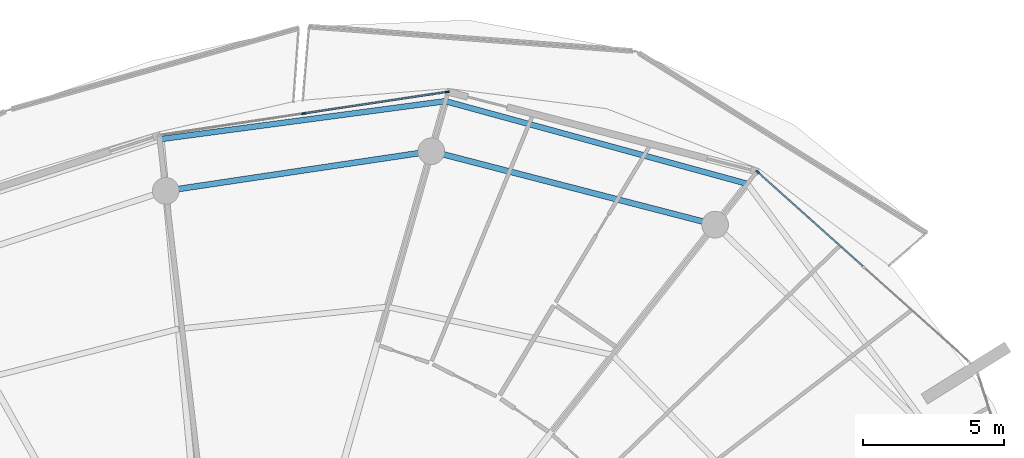
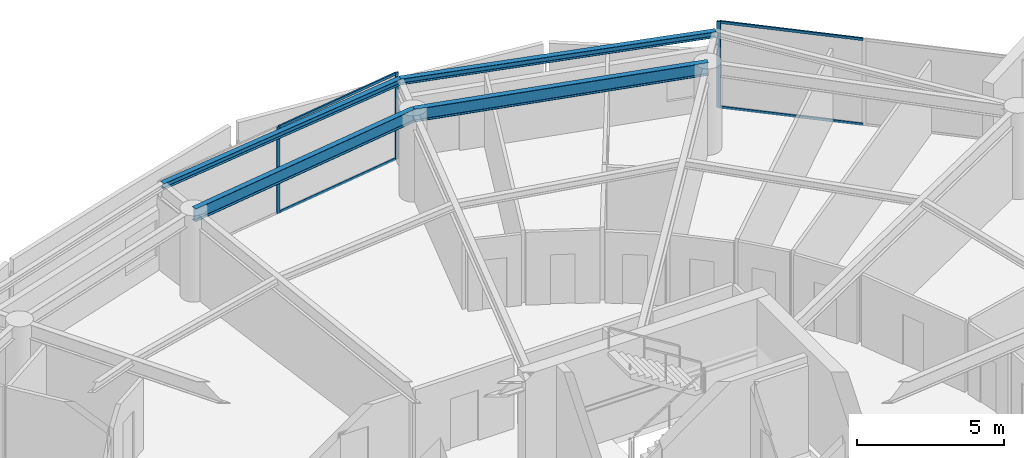
# One storey, part 15 of 29: 7 members, 4 beams, 2 elements without a shape of their own.
"""IFC4 building model written with IfcOpenShell, lengths in metres."""

import ifcopenshell
import ifcopenshell.guid

model = None  # the IFC model being written
_history = None  # IfcOwnerHistory: only IFC2X3 demands one
_inside = {}  # id of a spatial element -> (the spatial element, [elements in it])
_under = {}  # id of a project, library or spatial element -> (it, [spatial elements below it])
_declared = {}  # id of a project -> (the project, [libraries it declares])
_typed = {}  # id of a type object -> (the type object, [elements of that type])
_made_of = {}  # id of a material, layer set ... -> (it, [elements and type objects made of it])


def new_model(schema):
    """Start an empty IFC model of exactly this schema.

    Asked for "IFC4X3", IfcOpenShell would pick the latest addendum, in which some entities
    have other attributes; the version numbers below select the first issue.
    IFC2X3 requires an IfcOwnerHistory on every rooted entity: one is made here for all.
    """
    global model, _history
    if schema == "IFC4X3":
        model = ifcopenshell.file(schema_version=(4, 3, 0, 0))
    else:
        model = ifcopenshell.file(schema=schema)
    _inside.clear()
    _under.clear()
    _declared.clear()
    _typed.clear()
    _made_of.clear()
    _history = None
    if model.schema == "IFC2X3":
        org = make("IfcOrganization", Name="unknown")
        user = make(
            "IfcPersonAndOrganization",
            ThePerson=make("IfcPerson", FamilyName="unknown"),
            TheOrganization=org,
        )
        app = make(
            "IfcApplication",
            ApplicationDeveloper=org,
            Version="unknown",
            ApplicationFullName="unknown",
            ApplicationIdentifier="unknown",
        )
        _history = make(
            "IfcOwnerHistory",
            OwningUser=user,
            OwningApplication=app,
            ChangeAction="ADDED",
            CreationDate=0,
        )
    return model


def make(cls, **values):
    """One entity of the class cls with the attributes given. An attribute that is None is left unset."""
    return model.create_entity(
        cls, **{name: value for name, value in values.items() if value is not None}
    )


def rooted(cls, **values):
    """An entity with a GlobalId (a new one), such as an element, a storey or a relation."""
    return make(cls, GlobalId=ifcopenshell.guid.new(), OwnerHistory=_history, **values)


def si_unit(unit_type, name, prefix=None):
    """IfcSIUnit, for example si_unit("LENGTHUNIT", "METRE", prefix="MILLI")."""
    return make("IfcSIUnit", UnitType=unit_type, Prefix=prefix, Name=name)


def assignment(units):
    """IfcUnitAssignment: the units of a project."""
    return None if units is None else make("IfcUnitAssignment", Units=units)


def point(xyz):
    """IfcCartesianPoint."""
    return None if xyz is None else make("IfcCartesianPoint", Coordinates=xyz)


def direction(xyz):
    """IfcDirection."""
    return None if xyz is None else make("IfcDirection", DirectionRatios=xyz)


def frame(location, z_axis=None, x_axis=None):
    """IfcAxis2Placement3D, a coordinate frame: its origin and axes. An axis left out is left unset."""
    return make(
        "IfcAxis2Placement3D",
        Location=point(location),
        Axis=direction(z_axis),
        RefDirection=direction(x_axis),
    )


def frame_2d(location, x_axis=None):
    """IfcAxis2Placement2D, a coordinate frame in the plane: its origin and x axis."""
    return make(
        "IfcAxis2Placement2D", Location=point(location), RefDirection=direction(x_axis)
    )


def origin():
    """The frame at (0, 0, 0) with its axes left unset."""
    return frame((0.0, 0.0, 0.0))


def origin_2d():
    """The frame at (0, 0) in the plane with its x axis left unset."""
    return frame_2d((0.0, 0.0))


def place(relative_to, where):
    """IfcLocalPlacement: puts the frame where relative to a parent placement (None: the world)."""
    return make(
        "IfcLocalPlacement", PlacementRelTo=relative_to, RelativePlacement=where
    )


def context(
    kind, dimensions, precision=None, world=None, true_north=None, identifier=None
):
    """IfcGeometricRepresentationContext, for example the 3D "Model" context."""
    return make(
        "IfcGeometricRepresentationContext",
        ContextIdentifier=identifier,
        ContextType=kind,
        CoordinateSpaceDimension=dimensions,
        Precision=precision,
        WorldCoordinateSystem=world,
        TrueNorth=true_north,
    )


def subcontext(parent, identifier, kind, view, scale=None):
    """IfcGeometricRepresentationSubContext, for example "Body" below "Model"."""
    return make(
        "IfcGeometricRepresentationSubContext",
        ContextIdentifier=identifier,
        ContextType=kind,
        ParentContext=parent,
        TargetScale=scale,
        TargetView=view,
    )


def project(units=None, contexts=None):
    """IfcProject with its units and contexts."""
    return rooted(
        "IfcProject",
        Name="project",
        RepresentationContexts=contexts,
        UnitsInContext=assignment(units),
    )


def spatial(cls, under=None, at=None, **own):
    """A site, building, storey or space (cls), placed at a placement, below another one or the project."""
    s = rooted(cls, ObjectPlacement=at, **own)
    if under is not None:
        _under.setdefault(under.id(), (under, []))[1].append(s)
    return s


def profile(cls, at=None, kind="AREA", **sizes):
    """A parametric profile (cls). Its sizes go by their IFC names, for example OverallWidth=200.0."""
    return make(cls, ProfileType=kind, Position=at, **sizes)


def rectangle(**sizes):
    """IfcRectangleProfileDef."""
    return profile("IfcRectangleProfileDef", **sizes)


def i_section(**sizes):
    """IfcIShapeProfileDef."""
    return profile("IfcIShapeProfileDef", **sizes)


def extrude(swept, where, along, depth):
    """IfcExtrudedAreaSolid: the profile swept, set in the frame where, extruded along a direction by depth."""
    return make(
        "IfcExtrudedAreaSolid",
        SweptArea=swept,
        Position=where,
        ExtrudedDirection=direction(along),
        Depth=depth,
    )


def shape(context_of_items, identifier, shape_type, items):
    """IfcShapeRepresentation: the items that make up one representation, for example the "Body"."""
    return make(
        "IfcShapeRepresentation",
        ContextOfItems=context_of_items,
        RepresentationIdentifier=identifier,
        RepresentationType=shape_type,
        Items=items,
    )


def material(Name=None, Category=None):
    """IfcMaterial."""
    return make("IfcMaterial", Name=Name, Category=Category)


def layer(
    of_material, thickness, ventilated=None, Name=None, Category=None, Priority=None
):
    """IfcMaterialLayer: one layer of a wall or slab, of a material (None: an air gap)."""
    return make(
        "IfcMaterialLayer",
        Material=of_material,
        LayerThickness=thickness,
        IsVentilated=ventilated,
        Name=Name,
        Category=Category,
        Priority=Priority,
    )


def layer_set(layers, Name=None):
    """IfcMaterialLayerSet."""
    return make("IfcMaterialLayerSet", MaterialLayers=layers, LayerSetName=Name)


def material_profile(
    of_material, cross_section, Name=None, Category=None, Priority=None
):
    """IfcMaterialProfile: a cross section and its material."""
    return make(
        "IfcMaterialProfile",
        Name=Name,
        Material=of_material,
        Profile=cross_section,
        Priority=Priority,
        Category=Category,
    )


def profile_set(profiles, Name=None, composite=None):
    """IfcMaterialProfileSet."""
    return make(
        "IfcMaterialProfileSet",
        Name=Name,
        MaterialProfiles=profiles,
        CompositeProfile=composite,
    )


def made_of(thing, what):
    """Note that an element or type object is made of a material, layer set ...; save() writes the relation."""
    if what is not None:
        _made_of.setdefault(what.id(), (what, []))[1].append(thing)
    return thing


def type_object(cls, material=None, **own):
    """A type object (cls), such as IfcWallType, which elements share."""
    return made_of(rooted(cls, **own), material)


def element(
    cls,
    number,
    at=None,
    inside=None,
    cuts=None,
    type_object=None,
    material=None,
    context=None,
    identifier="Body",
    shape_type=None,
    held_by="IfcProductDefinitionShape",
    body=None,
    shapes=None,
    **own,
):
    """One element of the class cls, such as IfcWall. Its Tag is "e" and its number.

    at: its placement. inside: the storey or other place that contains it. cuts: it is an
    opening in that element (IfcRelVoidsElement). A single representation is given by context,
    identifier, shape_type and body (its items); several are given by shapes. held_by: the class
    of the entity that holds the representations. save() writes the other relations.
    """
    e = rooted(cls, Tag="e%d" % number, ObjectPlacement=at, **own)
    if body is not None:
        shapes = [shape(context, identifier, shape_type, body)]
    if shapes is not None:
        e.Representation = make(held_by, Representations=shapes)
    if inside is not None:
        _inside.setdefault(inside.id(), (inside, []))[1].append(e)
    if cuts is not None:
        rooted(
            "IfcRelVoidsElement", RelatingBuildingElement=cuts, RelatedOpeningElement=e
        )
    if type_object is not None:
        _typed.setdefault(type_object.id(), (type_object, []))[1].append(e)
    return made_of(e, material)


def aggregate(whole, parts):
    """IfcRelAggregates: a whole, such as a stair, and the parts it consists of."""
    return rooted("IfcRelAggregates", RelatingObject=whole, RelatedObjects=parts)


def save(model, path):
    """Write the relations noted so far, then the file.

    IfcRelAggregates (storeys below a building ...), IfcRelContainedInSpatialStructure (elements
    in a storey), IfcRelDefinesByType, IfcRelAssociatesMaterial and IfcRelDeclares: one each for
    every whole, place, type object, material and project.
    """
    for whole, parts in _under.values():
        aggregate(whole, parts)
    for where, things in _inside.values():
        rooted(
            "IfcRelContainedInSpatialStructure",
            RelatedElements=things,
            RelatingStructure=where,
        )
    for kind, things in _typed.values():
        rooted("IfcRelDefinesByType", RelatedObjects=things, RelatingType=kind)
    for what, things in _made_of.values():
        rooted("IfcRelAssociatesMaterial", RelatedObjects=things, RelatingMaterial=what)
    for by, libraries in _declared.values():
        rooted("IfcRelDeclares", RelatingContext=by, RelatedDefinitions=libraries)
    model.write(path)


model = new_model("IFC4")

# Units and contexts
model_context = context("Model", 3, precision=1e-05, world=origin(), true_north=direction((0.0, 1.0)))
body_context = subcontext(model_context, "Body", "Model", "MODEL_VIEW")
ifc_project = project(units=[si_unit("LENGTHUNIT", "METRE"), si_unit("AREAUNIT", "SQUARE_METRE"), si_unit("VOLUMEUNIT", "CUBIC_METRE"), si_unit("PLANEANGLEUNIT", "RADIAN"), si_unit("MASSUNIT", "GRAM", prefix="KILO")], contexts=[model_context])

# Site, building, storey
site_placement = place(None, origin())
site = spatial("IfcSite", under=ifc_project, at=site_placement, CompositionType="ELEMENT")
building_placement = place(site_placement, origin())
building = spatial("IfcBuilding", under=site, at=building_placement, Name="Kazma Halo Residences", CompositionType="ELEMENT")
storey_placement = place(building_placement, frame((0.0, 0.0, 282.89990234375)))
storey = spatial("IfcBuildingStorey", under=building, at=storey_placement, Name="L71", CompositionType="ELEMENT", Elevation=282.89990234375)

# Beams
ifc_material_1 = material(Name="Steel S355", Category="steel")
ifc_material_profile_1 = material_profile(ifc_material_1, i_section(OverallWidth=0.201904296875, OverallDepth=0.2470703125, WebThickness=0.00732421875, FlangeThickness=0.010986328125, FilletRadius=0.011962890625, at=origin_2d()), Name="W250x49.1")
ifc_profile_set_1 = profile_set([ifc_material_profile_1], Name="Steel S355")
beam_type_1 = type_object("IfcBeamType", Name="BM-BAL-CANT", PredefinedType="BEAM", material=ifc_profile_set_1)
beam_1_placement = place(storey_placement, frame((65.992431640625, 64.823486328125, 3.466552734375), z_axis=(-0.964514665976, 0.264029277006, 0.0), x_axis=(-0.264029277006, -0.964514665976, 0.0)))
element("IfcBeam", 1, at=beam_1_placement, inside=storey, type_object=beam_type_1, Name="L71 wave-balcony tie beam 02", PredefinedType="BEAM", context=body_context, shape_type="SweptSolid", body=[
    extrude(i_section(OverallWidth=0.201904296875, OverallDepth=0.2470703125, WebThickness=0.00732421875, FlangeThickness=0.010986328125, FilletRadius=0.011962890625, at=origin_2d()), origin(), (0.0, 0.0, 1.0), 11.1220703125),
])
beam_2_placement = place(storey_placement, frame((55.26513671875, 67.760009765625, 3.466552734375), z_axis=(-0.991234590706, -0.132113535217, 0.0), x_axis=(0.132113535217, -0.991234590706, 0.0)))
element("IfcBeam", 2, at=beam_2_placement, inside=storey, type_object=beam_type_1, Name="L71 wave-balcony tie beam 03", PredefinedType="BEAM", context=body_context, shape_type="SweptSolid", body=[
    extrude(i_section(OverallWidth=0.201904296875, OverallDepth=0.2470703125, WebThickness=0.00732421875, FlangeThickness=0.010986328125, FilletRadius=0.011962890625, at=origin_2d()), origin(), (0.0, 0.0, 1.0), 10.197021484375),
])
ifc_material_profile_2 = material_profile(ifc_material_1, i_section(OverallWidth=0.208984375, OverallDepth=0.532958984375, WebThickness=0.01025390625, FlangeThickness=0.015625, FilletRadius=0.01611328125, at=origin_2d()), Name="W530x92")
ifc_profile_set_2 = profile_set([ifc_material_profile_2], Name="Steel S355")
beam_type_2 = type_object("IfcBeamType", Name="BM-SPN-W530", PredefinedType="BEAM", material=ifc_profile_set_2)
beam_3_placement = place(storey_placement, frame((64.84716796875, 63.37060546875, 3.323486328125), z_axis=(-0.968126042852, 0.250463500639, 0.0), x_axis=(-0.250463500639, -0.968126042852, 0.0)))
element("IfcBeam", 3, at=beam_3_placement, inside=storey, type_object=beam_type_2, Name="L71 perimeter ring beam 02", PredefinedType="BEAM", context=body_context, shape_type="SweptSolid", body=[
    extrude(i_section(OverallWidth=0.208984375, OverallDepth=0.532958984375, WebThickness=0.01025390625, FlangeThickness=0.015625, FilletRadius=0.01611328125, at=origin_2d()), origin(), (0.0, 0.0, 1.0), 10.416259765625),
])
beam_4_placement = place(storey_placement, frame((54.762939453125, 65.9794921875, 3.323486328125), z_axis=(-0.989035441627, -0.147678350495, 0.0), x_axis=(0.147678350495, -0.989035441627, 0.0)))
element("IfcBeam", 4, at=beam_4_placement, inside=storey, type_object=beam_type_2, Name="L71 perimeter ring beam 03", PredefinedType="BEAM", context=body_context, shape_type="SweptSolid", body=[
    extrude(i_section(OverallWidth=0.208984375, OverallDepth=0.532958984375, WebThickness=0.01025390625, FlangeThickness=0.015625, FilletRadius=0.01611328125, at=origin_2d()), origin(), (0.0, 0.0, 1.0), 9.538818359375),
])

# Curtain wall, member
ifc_material_2 = material(Name="Aluminium AW-6063 T6 and Triple-Silver Low-E Glass", Category="aluminium")
ifc_layer = layer(ifc_material_2, 0.139892578125)
ifc_layer_set = layer_set([ifc_layer], Name="Aluminium AW-6063 T6 and Triple-Silver Low-E Glass")
curtain_wall_type = type_object("IfcCurtainWallType", Name="CW-SYS-5", PredefinedType="NOTDEFINED", material=ifc_layer_set)
curtain_wall_1_placement = place(storey_placement, origin())
curtain_wall_1 = element("IfcCurtainWall", 5, at=curtain_wall_1_placement, inside=storey, type_object=curtain_wall_type, Name="L71 unitised curtain wall B01", PredefinedType="NOTDEFINED")
ifc_material_3 = material(Name="Aluminium AW-6063 T6", Category="aluminium")
ifc_material_profile_3 = material_profile(ifc_material_3, rectangle(XDim=0.06005859375, YDim=0.139892578125, at=origin_2d()), Name="CWM-60x140")
ifc_profile_set_3 = profile_set([ifc_material_profile_3], Name="Aluminium AW-6063 T6")
member_type_1 = type_object("IfcMemberType", Name="CW-SYS-5-MUL", PredefinedType="MULLION", material=ifc_profile_set_3)
member_1_placement = place(storey_placement, frame((66.3603515625, 65.241455078125, 0.0), z_axis=(0.0, 0.0, 1.0), x_axis=(-0.667804826958, -0.744336424671, 0.0)))
member_1 = element("IfcMember", 6, at=member_1_placement, type_object=member_type_1, Name="CWS-5 mullion 3", PredefinedType="MULLION", context=body_context, shape_type="SweptSolid", body=[
    extrude(rectangle(XDim=0.06005859375, YDim=0.139892578125, at=origin_2d()), origin(), (0.0, 0.0, 1.0), 3.590087890625),
])

# Curtain wall, members
curtain_wall_2_placement = place(storey_placement, origin())
curtain_wall_2 = element("IfcCurtainWall", 7, at=curtain_wall_2_placement, inside=storey, type_object=curtain_wall_type, Name="L71 unitised curtain wall B03", PredefinedType="NOTDEFINED")
member_2_placement = place(storey_placement, frame((55.328857421875, 68.087158203125, 0.0), z_axis=(0.0, 0.0, 1.0), x_axis=(0.148697080374, -0.988882792998, 0.0)))
member_2 = element("IfcMember", 8, at=member_2_placement, type_object=member_type_1, Name="CWS-5 mullion 1", PredefinedType="MULLION", context=body_context, shape_type="SweptSolid", body=[
    extrude(rectangle(XDim=0.06005859375, YDim=0.139892578125, at=origin_2d()), origin(), (0.0, 0.0, 1.0), 3.590087890625),
])
member_3_placement = place(storey_placement, frame((50.2265625, 67.320068359375, 0.0), z_axis=(0.0, 0.0, 1.0), x_axis=(0.148697080374, -0.988882792998, 0.0)))
member_3 = element("IfcMember", 9, at=member_3_placement, type_object=member_type_1, Name="CWS-5 mullion 2", PredefinedType="MULLION", context=body_context, shape_type="SweptSolid", body=[
    extrude(rectangle(XDim=0.06005859375, YDim=0.139892578125, at=origin_2d()), origin(), (0.0, 0.0, 1.0), 3.590087890625),
])

# Member
ifc_material_profile_4 = material_profile(ifc_material_3, rectangle(XDim=0.06005859375, YDim=0.10498046875, at=origin_2d()), Name="CWT-60x105")
ifc_profile_set_4 = profile_set([ifc_material_profile_4], Name="Aluminium AW-6063 T6")
member_type_2 = type_object("IfcMemberType", Name="CW-SYS-5-TRN", PredefinedType="USERDEFINED", material=ifc_profile_set_4)
member_4_placement = place(storey_placement, frame((70.099609375, 61.88671875, 0.030029296875), z_axis=(-0.744350700793, 0.667788914425, 0.0), x_axis=(-0.667788914425, -0.744350700793, 0.0)))
member_4 = element("IfcMember", 10, at=member_4_placement, type_object=member_type_2, Name="CWS-5 transom 2.1", ObjectType="TRANSOM", PredefinedType="USERDEFINED", context=body_context, shape_type="SweptSolid", body=[
    extrude(rectangle(XDim=0.06005859375, YDim=0.10498046875, at=origin_2d()), origin(), (0.0, 0.0, 1.0), 4.99365234375),
])

member_5_placement = place(storey_placement, frame((70.099609375, 61.88671875, 3.56005859375), z_axis=(-0.744350700793, 0.667788914425, 0.0), x_axis=(-0.667788914425, -0.744350700793, 0.0)))
member_5 = element("IfcMember", 11, at=member_5_placement, type_object=member_type_2, Name="CWS-5 transom 2.2", ObjectType="TRANSOM", PredefinedType="USERDEFINED", context=body_context, shape_type="SweptSolid", body=[
    extrude(rectangle(XDim=0.06005859375, YDim=0.10498046875, at=origin_2d()), origin(), (0.0, 0.0, 1.0), 4.99365234375),
])

aggregate(curtain_wall_1, [member_1, member_4, member_5])

member_6_placement = place(storey_placement, frame((55.29931640625, 68.082763671875, 0.030029296875), z_axis=(-0.988883972013, -0.148689239341, 0.0), x_axis=(0.148689239341, -0.988883972013, 0.0)))
member_6 = element("IfcMember", 12, at=member_6_placement, type_object=member_type_2, Name="CWS-5 transom 1.1", ObjectType="TRANSOM", PredefinedType="USERDEFINED", context=body_context, shape_type="SweptSolid", body=[
    extrude(rectangle(XDim=0.06005859375, YDim=0.10498046875, at=origin_2d()), origin(), (0.0, 0.0, 1.0), 5.099853515625),
])

member_7_placement = place(storey_placement, frame((55.29931640625, 68.082763671875, 3.56005859375), z_axis=(-0.988883972013, -0.148689239341, 0.0), x_axis=(0.148689239341, -0.988883972013, 0.0)))
member_7 = element("IfcMember", 13, at=member_7_placement, type_object=member_type_2, Name="CWS-5 transom 1.2", ObjectType="TRANSOM", PredefinedType="USERDEFINED", context=body_context, shape_type="SweptSolid", body=[
    extrude(rectangle(XDim=0.06005859375, YDim=0.10498046875, at=origin_2d()), origin(), (0.0, 0.0, 1.0), 5.099853515625),
])

aggregate(curtain_wall_2, [member_2, member_3, member_6, member_7])

save(model, "model.ifc")
